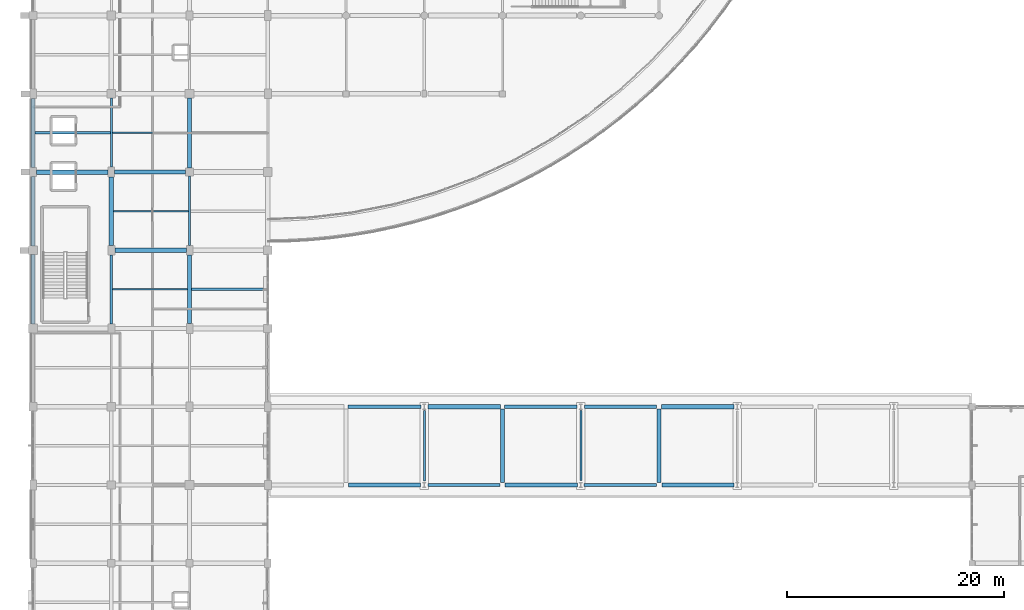
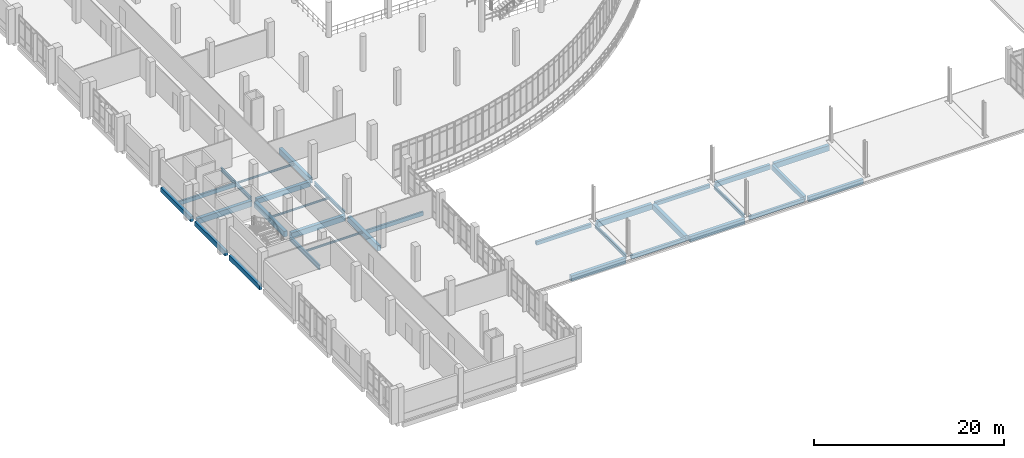
# One storey, part 20 of 134: 31 beams.
"""IFC4 building model written with IfcOpenShell, lengths in metres."""

import ifcopenshell
import ifcopenshell.guid

model = None  # the IFC model being written
_history = None  # IfcOwnerHistory: only IFC2X3 demands one
_inside = {}  # id of a spatial element -> (the spatial element, [elements in it])
_under = {}  # id of a project, library or spatial element -> (it, [spatial elements below it])
_declared = {}  # id of a project -> (the project, [libraries it declares])
_typed = {}  # id of a type object -> (the type object, [elements of that type])
_made_of = {}  # id of a material, layer set ... -> (it, [elements and type objects made of it])


def new_model(schema):
    """Start an empty IFC model of exactly this schema.

    Asked for "IFC4X3", IfcOpenShell would pick the latest addendum, in which some entities
    have other attributes; the version numbers below select the first issue.
    IFC2X3 requires an IfcOwnerHistory on every rooted entity: one is made here for all.
    """
    global model, _history
    if schema == "IFC4X3":
        model = ifcopenshell.file(schema_version=(4, 3, 0, 0))
    else:
        model = ifcopenshell.file(schema=schema)
    _inside.clear()
    _under.clear()
    _declared.clear()
    _typed.clear()
    _made_of.clear()
    _history = None
    if model.schema == "IFC2X3":
        org = make("IfcOrganization", Name="unknown")
        user = make(
            "IfcPersonAndOrganization",
            ThePerson=make("IfcPerson", FamilyName="unknown"),
            TheOrganization=org,
        )
        app = make(
            "IfcApplication",
            ApplicationDeveloper=org,
            Version="unknown",
            ApplicationFullName="unknown",
            ApplicationIdentifier="unknown",
        )
        _history = make(
            "IfcOwnerHistory",
            OwningUser=user,
            OwningApplication=app,
            ChangeAction="ADDED",
            CreationDate=0,
        )
    return model


def make(cls, **values):
    """One entity of the class cls with the attributes given. An attribute that is None is left unset."""
    return model.create_entity(
        cls, **{name: value for name, value in values.items() if value is not None}
    )


def rooted(cls, **values):
    """An entity with a GlobalId (a new one), such as an element, a storey or a relation."""
    return make(cls, GlobalId=ifcopenshell.guid.new(), OwnerHistory=_history, **values)


def si_unit(unit_type, name, prefix=None):
    """IfcSIUnit, for example si_unit("LENGTHUNIT", "METRE", prefix="MILLI")."""
    return make("IfcSIUnit", UnitType=unit_type, Prefix=prefix, Name=name)


def assignment(units):
    """IfcUnitAssignment: the units of a project."""
    return None if units is None else make("IfcUnitAssignment", Units=units)


def point(xyz):
    """IfcCartesianPoint."""
    return None if xyz is None else make("IfcCartesianPoint", Coordinates=xyz)


def direction(xyz):
    """IfcDirection."""
    return None if xyz is None else make("IfcDirection", DirectionRatios=xyz)


def frame(location, z_axis=None, x_axis=None):
    """IfcAxis2Placement3D, a coordinate frame: its origin and axes. An axis left out is left unset."""
    return make(
        "IfcAxis2Placement3D",
        Location=point(location),
        Axis=direction(z_axis),
        RefDirection=direction(x_axis),
    )


def frame_2d(location, x_axis=None):
    """IfcAxis2Placement2D, a coordinate frame in the plane: its origin and x axis."""
    return make(
        "IfcAxis2Placement2D", Location=point(location), RefDirection=direction(x_axis)
    )


def origin():
    """The frame at (0, 0, 0) with its axes left unset."""
    return frame((0.0, 0.0, 0.0))


def origin_2d():
    """The frame at (0, 0) in the plane with its x axis left unset."""
    return frame_2d((0.0, 0.0))


def place(relative_to, where):
    """IfcLocalPlacement: puts the frame where relative to a parent placement (None: the world)."""
    return make(
        "IfcLocalPlacement", PlacementRelTo=relative_to, RelativePlacement=where
    )


def context(
    kind, dimensions, precision=None, world=None, true_north=None, identifier=None
):
    """IfcGeometricRepresentationContext, for example the 3D "Model" context."""
    return make(
        "IfcGeometricRepresentationContext",
        ContextIdentifier=identifier,
        ContextType=kind,
        CoordinateSpaceDimension=dimensions,
        Precision=precision,
        WorldCoordinateSystem=world,
        TrueNorth=true_north,
    )


def subcontext(parent, identifier, kind, view, scale=None):
    """IfcGeometricRepresentationSubContext, for example "Body" below "Model"."""
    return make(
        "IfcGeometricRepresentationSubContext",
        ContextIdentifier=identifier,
        ContextType=kind,
        ParentContext=parent,
        TargetScale=scale,
        TargetView=view,
    )


def project(units=None, contexts=None):
    """IfcProject with its units and contexts."""
    return rooted(
        "IfcProject",
        Name="project",
        RepresentationContexts=contexts,
        UnitsInContext=assignment(units),
    )


def spatial(cls, under=None, at=None, **own):
    """A site, building, storey or space (cls), placed at a placement, below another one or the project."""
    s = rooted(cls, ObjectPlacement=at, **own)
    if under is not None:
        _under.setdefault(under.id(), (under, []))[1].append(s)
    return s


def profile(cls, at=None, kind="AREA", **sizes):
    """A parametric profile (cls). Its sizes go by their IFC names, for example OverallWidth=200.0."""
    return make(cls, ProfileType=kind, Position=at, **sizes)


def rectangle(**sizes):
    """IfcRectangleProfileDef."""
    return profile("IfcRectangleProfileDef", **sizes)


def i_section(**sizes):
    """IfcIShapeProfileDef."""
    return profile("IfcIShapeProfileDef", **sizes)


def extrude(swept, where, along, depth):
    """IfcExtrudedAreaSolid: the profile swept, set in the frame where, extruded along a direction by depth."""
    return make(
        "IfcExtrudedAreaSolid",
        SweptArea=swept,
        Position=where,
        ExtrudedDirection=direction(along),
        Depth=depth,
    )


def shape(context_of_items, identifier, shape_type, items):
    """IfcShapeRepresentation: the items that make up one representation, for example the "Body"."""
    return make(
        "IfcShapeRepresentation",
        ContextOfItems=context_of_items,
        RepresentationIdentifier=identifier,
        RepresentationType=shape_type,
        Items=items,
    )


def material(Name=None, Category=None):
    """IfcMaterial."""
    return make("IfcMaterial", Name=Name, Category=Category)


def material_profile(
    of_material, cross_section, Name=None, Category=None, Priority=None
):
    """IfcMaterialProfile: a cross section and its material."""
    return make(
        "IfcMaterialProfile",
        Name=Name,
        Material=of_material,
        Profile=cross_section,
        Priority=Priority,
        Category=Category,
    )


def profile_set(profiles, Name=None, composite=None):
    """IfcMaterialProfileSet."""
    return make(
        "IfcMaterialProfileSet",
        Name=Name,
        MaterialProfiles=profiles,
        CompositeProfile=composite,
    )


def made_of(thing, what):
    """Note that an element or type object is made of a material, layer set ...; save() writes the relation."""
    if what is not None:
        _made_of.setdefault(what.id(), (what, []))[1].append(thing)
    return thing


def type_object(cls, material=None, **own):
    """A type object (cls), such as IfcWallType, which elements share."""
    return made_of(rooted(cls, **own), material)


def element(
    cls,
    number,
    at=None,
    inside=None,
    cuts=None,
    type_object=None,
    material=None,
    context=None,
    identifier="Body",
    shape_type=None,
    held_by="IfcProductDefinitionShape",
    body=None,
    shapes=None,
    **own,
):
    """One element of the class cls, such as IfcWall. Its Tag is "e" and its number.

    at: its placement. inside: the storey or other place that contains it. cuts: it is an
    opening in that element (IfcRelVoidsElement). A single representation is given by context,
    identifier, shape_type and body (its items); several are given by shapes. held_by: the class
    of the entity that holds the representations. save() writes the other relations.
    """
    e = rooted(cls, Tag="e%d" % number, ObjectPlacement=at, **own)
    if body is not None:
        shapes = [shape(context, identifier, shape_type, body)]
    if shapes is not None:
        e.Representation = make(held_by, Representations=shapes)
    if inside is not None:
        _inside.setdefault(inside.id(), (inside, []))[1].append(e)
    if cuts is not None:
        rooted(
            "IfcRelVoidsElement", RelatingBuildingElement=cuts, RelatedOpeningElement=e
        )
    if type_object is not None:
        _typed.setdefault(type_object.id(), (type_object, []))[1].append(e)
    return made_of(e, material)


def aggregate(whole, parts):
    """IfcRelAggregates: a whole, such as a stair, and the parts it consists of."""
    return rooted("IfcRelAggregates", RelatingObject=whole, RelatedObjects=parts)


def save(model, path):
    """Write the relations noted so far, then the file.

    IfcRelAggregates (storeys below a building ...), IfcRelContainedInSpatialStructure (elements
    in a storey), IfcRelDefinesByType, IfcRelAssociatesMaterial and IfcRelDeclares: one each for
    every whole, place, type object, material and project.
    """
    for whole, parts in _under.values():
        aggregate(whole, parts)
    for where, things in _inside.values():
        rooted(
            "IfcRelContainedInSpatialStructure",
            RelatedElements=things,
            RelatingStructure=where,
        )
    for kind, things in _typed.values():
        rooted("IfcRelDefinesByType", RelatedObjects=things, RelatingType=kind)
    for what, things in _made_of.values():
        rooted("IfcRelAssociatesMaterial", RelatedObjects=things, RelatingMaterial=what)
    for by, libraries in _declared.values():
        rooted("IfcRelDeclares", RelatingContext=by, RelatedDefinitions=libraries)
    model.write(path)


model = new_model("IFC4")

# Units and contexts
model_context = context("Model", 3, precision=1e-05, world=origin(), true_north=direction((0.0, 1.0)))
body_context = subcontext(model_context, "Body", "Model", "MODEL_VIEW")
ifc_project = project(units=[si_unit("LENGTHUNIT", "METRE"), si_unit("AREAUNIT", "SQUARE_METRE"), si_unit("VOLUMEUNIT", "CUBIC_METRE"), si_unit("PLANEANGLEUNIT", "RADIAN"), si_unit("MASSUNIT", "GRAM", prefix="KILO")], contexts=[model_context])

# Site, building, storey
site_placement = place(None, origin())
site = spatial("IfcSite", under=ifc_project, at=site_placement, CompositionType="ELEMENT")
building_placement = place(site_placement, origin())
building = spatial("IfcBuilding", under=site, at=building_placement, Name="Kalluvel Institute of Natural Sciences", CompositionType="ELEMENT")
storey_placement = place(building_placement, frame((0.0, 0.0, 5.39990234375)))
storey = spatial("IfcBuildingStorey", under=building, at=storey_placement, Name="L01", CompositionType="ELEMENT", Elevation=5.39990234375)

# Beams
ifc_material_1 = material(Name="Steel E350 Grade 350", Category="steel")
ifc_material_profile_1 = material_profile(ifc_material_1, i_section(OverallWidth=0.179931640625, OverallDepth=0.5, WebThickness=0.01025390625, FlangeThickness=0.01708984375, FilletRadius=0.01708984375, at=origin_2d()), Name="ISMB 500")
ifc_profile_set_1 = profile_set([ifc_material_profile_1], Name="Steel E350 Grade 350")
beam_type_1 = type_object("IfcBeamType", Name="BM-ISMB500", PredefinedType="BEAM", material=ifc_profile_set_1)
for number, where, z_axis, x_axis, name in (
    (1, (21.199951171875, 57.64990234375, -0.5498046875), (0.0, 1.0, 0.0), (-1.0, 0.0, 0.0), "L01 girder GIR-L01-NS-X212-Y572"),
    (2, (28.39990234375, 50.449951171875, -0.5498046875), (0.0, 1.0, 0.0), (-1.0, 0.0, 0.0), "L01 girder GIR-L01-NS-X284-Y500"),
):
    element("IfcBeam", number, at=place(storey_placement, frame(where, z_axis=z_axis, x_axis=x_axis)), inside=storey, type_object=beam_type_1, Name=name, PredefinedType="BEAM", context=body_context, shape_type="SweptSolid", body=[
        extrude(i_section(OverallWidth=0.179931640625, OverallDepth=0.5, WebThickness=0.01025390625, FlangeThickness=0.01708984375, FilletRadius=0.01708984375, at=origin_2d()), origin(), (0.0, 0.0, 1.0), 6.375),
    ])
beam_1_placement = place(storey_placement, frame((50.0, 28.75, -0.489990234375), z_axis=(0.0, 1.0, 0.0), x_axis=(-1.0, 0.0, 0.0)))
element("IfcBeam", 3, at=beam_1_placement, inside=storey, type_object=beam_type_1, Name="L01 girder GIR-L01-NS-X500-Y284", PredefinedType="BEAM", context=body_context, shape_type="SweptSolid", body=[
    extrude(i_section(OverallWidth=0.179931640625, OverallDepth=0.5, WebThickness=0.01025390625, FlangeThickness=0.01708984375, FilletRadius=0.01708984375, at=origin_2d()), origin(), (0.0, 0.0, 1.0), 6.52490234375),
])
beam_2_placement = place(storey_placement, frame((64.39990234375, 28.800048828125, -0.489990234375), z_axis=(0.0, 1.0, 0.0), x_axis=(-1.0, 0.0, 0.0)))
element("IfcBeam", 4, at=beam_2_placement, inside=storey, type_object=beam_type_1, Name="L01 girder GIR-L01-NS-X644-Y284", PredefinedType="BEAM", context=body_context, shape_type="SweptSolid", body=[
    extrude(i_section(OverallWidth=0.179931640625, OverallDepth=0.5, WebThickness=0.01025390625, FlangeThickness=0.01708984375, FilletRadius=0.01708984375, at=origin_2d()), origin(), (0.0, 0.0, 1.0), 6.449951171875),
])
ifc_material_profile_2 = material_profile(ifc_material_1, i_section(OverallWidth=0.2099609375, OverallDepth=0.60009765625, WebThickness=0.011962890625, FlangeThickness=0.020751953125, FilletRadius=0.02001953125, at=origin_2d()), Name="ISMB 600")
ifc_profile_set_2 = profile_set([ifc_material_profile_2], Name="Steel E350 Grade 350")
beam_type_2 = type_object("IfcBeamType", Name="BM-ISMB600", PredefinedType="BEAM", material=ifc_profile_set_2)
beam_3_placement = place(storey_placement, frame((21.199951171875, 43.22509765625, -0.599853515625), z_axis=(0.0, 1.0, 0.0), x_axis=(-1.0, 0.0, 0.0)))
element("IfcBeam", 5, at=beam_3_placement, inside=storey, type_object=beam_type_2, Name="L01 girder GIR-L01-NS-X212-Y428", PredefinedType="BEAM", context=body_context, shape_type="SweptSolid", body=[
    extrude(i_section(OverallWidth=0.2099609375, OverallDepth=0.60009765625, WebThickness=0.011962890625, FlangeThickness=0.020751953125, FilletRadius=0.02001953125, at=origin_2d()), origin(), (0.0, 0.0, 1.0), 6.349853515625),
])
ifc_material_2 = material(Name="Concrete M40", Category="concrete")
ifc_material_profile_3 = material_profile(ifc_material_2, rectangle(XDim=0.35009765625, YDim=0.60009765625, at=origin_2d()), Name="RCB 350x600")
ifc_profile_set_3 = profile_set([ifc_material_profile_3], Name="Concrete M40")
beam_type_3 = type_object("IfcBeamType", Name="BM-RC350x600", PredefinedType="BEAM", material=ifc_profile_set_3)
beam_4_placement = place(storey_placement, frame((71.60009765625, 28.64990234375, -0.539794921875), z_axis=(0.0, 1.0, 0.0), x_axis=(-1.0, 0.0, 0.0)))
element("IfcBeam", 6, at=beam_4_placement, inside=storey, type_object=beam_type_3, Name="L01 girder GIR-L01-NS-X716-Y284", PredefinedType="BEAM", context=body_context, shape_type="SweptSolid", body=[
    extrude(rectangle(XDim=0.35009765625, YDim=0.60009765625, at=origin_2d()), origin(), (0.0, 0.0, 1.0), 6.72509765625),
])
ifc_material_profile_4 = material_profile(ifc_material_2, rectangle(XDim=0.39990234375, YDim=0.64990234375, at=origin_2d()), Name="RCB 400x650")
ifc_profile_set_4 = profile_set([ifc_material_profile_4], Name="Concrete M40")
beam_type_4 = type_object("IfcBeamType", Name="BM-RC400x650", PredefinedType="BEAM", material=ifc_profile_set_4)
beam_5_placement = place(storey_placement, frame((21.5, 57.199951171875, -0.625), z_axis=(1.0, 0.0, 0.0), x_axis=(0.0, 1.0, 0.0)))
element("IfcBeam", 7, at=beam_5_placement, inside=storey, type_object=beam_type_4, Name="L01 girder GIR-L01-EW-X212-Y572", PredefinedType="BEAM", context=body_context, shape_type="SweptSolid", body=[
    extrude(rectangle(XDim=0.39990234375, YDim=0.64990234375, at=origin_2d()), origin(), (0.0, 0.0, 1.0), 6.52490234375),
])
ifc_material_profile_5 = material_profile(ifc_material_2, rectangle(XDim=0.39990234375, YDim=0.699951171875, at=origin_2d()), Name="RCB 400x700")
ifc_profile_set_5 = profile_set([ifc_material_profile_5], Name="Concrete M40")
beam_type_5 = type_object("IfcBeamType", Name="BM-RC400x700", PredefinedType="BEAM", material=ifc_profile_set_5)
beam_6_placement = place(storey_placement, frame((21.199951171875, 50.425048828125, -0.64990234375), z_axis=(0.0, 1.0, 0.0), x_axis=(-1.0, 0.0, 0.0)))
element("IfcBeam", 8, at=beam_6_placement, inside=storey, type_object=beam_type_5, Name="L01 girder GIR-L01-NS-X212-Y500", PredefinedType="BEAM", context=body_context, shape_type="SweptSolid", body=[
    extrude(rectangle(XDim=0.39990234375, YDim=0.699951171875, at=origin_2d()), origin(), (0.0, 0.0, 1.0), 6.324951171875),
])
beam_7_placement = place(storey_placement, frame((28.39990234375, 43.25, -0.64990234375), z_axis=(0.0, 1.0, 0.0), x_axis=(-1.0, 0.0, 0.0)))
element("IfcBeam", 9, at=beam_7_placement, inside=storey, type_object=beam_type_5, Name="L01 girder GIR-L01-NS-X284-Y428", PredefinedType="BEAM", context=body_context, shape_type="SweptSolid", body=[
    extrude(rectangle(XDim=0.39990234375, YDim=0.699951171875, at=origin_2d()), origin(), (0.0, 0.0, 1.0), 6.300048828125),
])
beam_8_placement = place(storey_placement, frame((28.39990234375, 57.574951171875, -0.64990234375), z_axis=(0.0, 1.0, 0.0), x_axis=(-1.0, 0.0, 0.0)))
element("IfcBeam", 10, at=beam_8_placement, inside=storey, type_object=beam_type_5, Name="L01 girder GIR-L01-NS-X284-Y572", PredefinedType="BEAM", context=body_context, shape_type="SweptSolid", body=[
    extrude(rectangle(XDim=0.39990234375, YDim=0.699951171875, at=origin_2d()), origin(), (0.0, 0.0, 1.0), 6.425048828125),
])
beam_9_placement = place(storey_placement, frame((57.199951171875, 28.625, -0.58984375), z_axis=(0.0, 1.0, 0.0), x_axis=(-1.0, 0.0, 0.0)))
element("IfcBeam", 11, at=beam_9_placement, inside=storey, type_object=beam_type_5, Name="L01 girder GIR-L01-NS-X572-Y284", PredefinedType="BEAM", context=body_context, shape_type="SweptSolid", body=[
    extrude(rectangle(XDim=0.39990234375, YDim=0.699951171875, at=origin_2d()), origin(), (0.0, 0.0, 1.0), 6.77490234375),
])
ifc_material_profile_6 = material_profile(ifc_material_2, rectangle(XDim=0.419921875, YDim=0.719970703125, at=origin_2d()), Name="RCB 420x720")
ifc_profile_set_6 = profile_set([ifc_material_profile_6], Name="Concrete M40")
beam_type_6 = type_object("IfcBeamType", Name="BM-RC420x720", PredefinedType="BEAM", material=ifc_profile_set_6)
beam_10_placement = place(storey_placement, frame((21.52490234375, 50.0, -0.659912109375), z_axis=(1.0, 0.0, 0.0), x_axis=(0.0, 1.0, 0.0)))
element("IfcBeam", 12, at=beam_10_placement, inside=storey, type_object=beam_type_6, Name="L01 girder GIR-L01-EW-X212-Y500", PredefinedType="BEAM", context=body_context, shape_type="SweptSolid", body=[
    extrude(rectangle(XDim=0.419921875, YDim=0.719970703125, at=origin_2d()), origin(), (0.0, 0.0, 1.0), 6.5751953125),
])
beam_11_placement = place(storey_placement, frame((14.324951171875, 57.199951171875, -0.659912109375), z_axis=(1.0, 0.0, 0.0), x_axis=(0.0, 1.0, 0.0)))
element("IfcBeam", 13, at=beam_11_placement, inside=storey, type_object=beam_type_6, Name="L01 girder GIR-L01-EW-X140-Y572", PredefinedType="BEAM", context=body_context, shape_type="SweptSolid", body=[
    extrude(rectangle(XDim=0.419921875, YDim=0.719970703125, at=origin_2d()), origin(), (0.0, 0.0, 1.0), 6.574951171875),
])
ifc_material_profile_7 = material_profile(ifc_material_2, rectangle(XDim=0.300048828125, YDim=0.449951171875, at=origin_2d()), Name="RCB 300x450")
ifc_profile_set_7 = profile_set([ifc_material_profile_7], Name="Concrete M40")
beam_type_7 = type_object("IfcBeamType", Name="SP-RC300x450", PredefinedType="SPANDREL", material=ifc_profile_set_7)
beam_12_placement = place(storey_placement, frame((50.35009765625, 28.39990234375, -0.46484375), z_axis=(1.0, 0.0, 0.0), x_axis=(0.0, 1.0, 0.0)))
element("IfcBeam", 14, at=beam_12_placement, inside=storey, type_object=beam_type_7, Name="L01 girder GIR-L01-EW-X500-Y284", PredefinedType="SPANDREL", context=body_context, shape_type="SweptSolid", body=[
    extrude(rectangle(XDim=0.300048828125, YDim=0.449951171875, at=origin_2d()), origin(), (0.0, 0.0, 1.0), 6.625),
])
beam_13_placement = place(storey_placement, frame((64.699951171875, 28.39990234375, -0.46484375), z_axis=(1.0, 0.0, 0.0), x_axis=(0.0, 1.0, 0.0)))
element("IfcBeam", 15, at=beam_13_placement, inside=storey, type_object=beam_type_7, Name="L01 girder GIR-L01-EW-X644-Y284", PredefinedType="SPANDREL", context=body_context, shape_type="SweptSolid", body=[
    extrude(rectangle(XDim=0.300048828125, YDim=0.449951171875, at=origin_2d()), origin(), (0.0, 0.0, 1.0), 6.650146484375),
])
beam_14_placement = place(storey_placement, frame((43.0, 35.60009765625, -0.46484375), z_axis=(1.0, 0.0, 0.0), x_axis=(0.0, 1.0, 0.0)))
element("IfcBeam", 16, at=beam_14_placement, inside=storey, type_object=beam_type_7, Name="L01 girder GIR-L01-EW-X428-Y356", PredefinedType="SPANDREL", context=body_context, shape_type="SweptSolid", body=[
    extrude(rectangle(XDim=0.300048828125, YDim=0.449951171875, at=origin_2d()), origin(), (0.0, 0.0, 1.0), 6.675048828125),
])
beam_15_placement = place(storey_placement, frame((57.39990234375, 35.60009765625, -0.46484375), z_axis=(1.0, 0.0, 0.0), x_axis=(0.0, 1.0, 0.0)))
element("IfcBeam", 17, at=beam_15_placement, inside=storey, type_object=beam_type_7, Name="L01 girder GIR-L01-EW-X572-Y356", PredefinedType="SPANDREL", context=body_context, shape_type="SweptSolid", body=[
    extrude(rectangle(XDim=0.300048828125, YDim=0.449951171875, at=origin_2d()), origin(), (0.0, 0.0, 1.0), 6.650146484375),
])
ifc_material_profile_8 = material_profile(ifc_material_2, rectangle(XDim=0.35009765625, YDim=0.60009765625, at=origin_2d()), Name="RCB 350x600")
ifc_profile_set_8 = profile_set([ifc_material_profile_8], Name="Concrete M40")
beam_type_8 = type_object("IfcBeamType", Name="SP-RC350x600", PredefinedType="SPANDREL", material=ifc_profile_set_8)
for number, where, z_axis, x_axis, name in (
    (18, (71.85009765625, 28.39990234375, -0.539794921875), (1.0, 0.0, 0.0), (0.0, 1.0, 0.0), "L01 girder GIR-L01-EW-X716-Y284"),
    (19, (64.75, 35.60009765625, -0.539794921875), (1.0, 0.0, 0.0), (0.0, 1.0, 0.0), "L01 girder GIR-L01-EW-X644-Y356"),
):
    element("IfcBeam", number, at=place(storey_placement, frame(where, z_axis=z_axis, x_axis=x_axis)), inside=storey, type_object=beam_type_8, Name=name, PredefinedType="SPANDREL", context=body_context, shape_type="SweptSolid", body=[
        extrude(rectangle(XDim=0.35009765625, YDim=0.60009765625, at=origin_2d()), origin(), (0.0, 0.0, 1.0), 6.625),
    ])
beam_16_placement = place(storey_placement, frame((14.0, 43.199951171875, -0.599853515625), z_axis=(0.0, 1.0, 0.0), x_axis=(-1.0, 0.0, 0.0)))
element("IfcBeam", 20, at=beam_16_placement, inside=storey, type_object=beam_type_8, Name="L01 girder GIR-L01-NS-X140-Y428", PredefinedType="SPANDREL", context=body_context, shape_type="SweptSolid", body=[
    extrude(rectangle(XDim=0.35009765625, YDim=0.60009765625, at=origin_2d()), origin(), (0.0, 0.0, 1.0), 6.400146484375),
])
beam_17_placement = place(storey_placement, frame((14.0, 50.39990234375, -0.599853515625), z_axis=(0.0, 1.0, 0.0), x_axis=(-1.0, 0.0, 0.0)))
element("IfcBeam", 21, at=beam_17_placement, inside=storey, type_object=beam_type_8, Name="L01 girder GIR-L01-NS-X140-Y500", PredefinedType="SPANDREL", context=body_context, shape_type="SweptSolid", body=[
    extrude(rectangle(XDim=0.35009765625, YDim=0.60009765625, at=origin_2d()), origin(), (0.0, 0.0, 1.0), 6.375),
])
beam_18_placement = place(storey_placement, frame((14.0, 57.625, -0.599853515625), z_axis=(0.0, 1.0, 0.0), x_axis=(-1.0, 0.0, 0.0)))
element("IfcBeam", 22, at=beam_18_placement, inside=storey, type_object=beam_type_8, Name="L01 girder GIR-L01-NS-X140-Y572", PredefinedType="SPANDREL", context=body_context, shape_type="SweptSolid", body=[
    extrude(rectangle(XDim=0.35009765625, YDim=0.60009765625, at=origin_2d()), origin(), (0.0, 0.0, 1.0), 6.324951171875),
])
ifc_material_profile_9 = material_profile(ifc_material_2, rectangle(XDim=0.39990234375, YDim=0.699951171875, at=origin_2d()), Name="RCB 400x700")
ifc_profile_set_9 = profile_set([ifc_material_profile_9], Name="Concrete M40")
beam_type_9 = type_object("IfcBeamType", Name="SP-RC400x700", PredefinedType="SPANDREL", material=ifc_profile_set_9)
beam_19_placement = place(storey_placement, frame((43.02490234375, 28.39990234375, -0.58984375), z_axis=(1.0, 0.0, 0.0), x_axis=(0.0, 1.0, 0.0)))
element("IfcBeam", 23, at=beam_19_placement, inside=storey, type_object=beam_type_9, Name="L01 girder GIR-L01-EW-X428-Y284", PredefinedType="SPANDREL", context=body_context, shape_type="SweptSolid", body=[
    extrude(rectangle(XDim=0.39990234375, YDim=0.699951171875, at=origin_2d()), origin(), (0.0, 0.0, 1.0), 6.625),
])
for number, where, z_axis, x_axis, name in (
    (24, (57.425048828125, 28.39990234375, -0.58984375), (1.0, 0.0, 0.0), (0.0, 1.0, 0.0), "L01 girder GIR-L01-EW-X572-Y284"),
    (25, (50.324951171875, 35.60009765625, -0.58984375), (1.0, 0.0, 0.0), (0.0, 1.0, 0.0), "L01 girder GIR-L01-EW-X500-Y356"),
    (26, (71.824951171875, 35.60009765625, -0.58984375), (1.0, 0.0, 0.0), (0.0, 1.0, 0.0), "L01 girder GIR-L01-EW-X716-Y356"),
):
    element("IfcBeam", number, at=place(storey_placement, frame(where, z_axis=z_axis, x_axis=x_axis)), inside=storey, type_object=beam_type_9, Name=name, PredefinedType="SPANDREL", context=body_context, shape_type="SweptSolid", body=[
        extrude(rectangle(XDim=0.39990234375, YDim=0.699951171875, at=origin_2d()), origin(), (0.0, 0.0, 1.0), 6.675048828125),
    ])
ifc_material_profile_10 = material_profile(ifc_material_2, rectangle(XDim=0.219970703125, YDim=0.5, at=origin_2d()), Name="WAF 220x500")
ifc_profile_set_10 = profile_set([ifc_material_profile_10], Name="Concrete M40")
beam_type_10 = type_object("IfcBeamType", Name="WJ-220x500", PredefinedType="JOIST", material=ifc_profile_set_10)
beam_20_placement = place(storey_placement, frame((28.60009765625, 46.39990234375, -0.5498046875), z_axis=(1.0, 0.0, 0.0), x_axis=(0.0, 1.0, 0.0)))
element("IfcBeam", 27, at=beam_20_placement, inside=storey, type_object=beam_type_10, Name="L01 floor rib RIB-L01-0638", PredefinedType="JOIST", context=body_context, shape_type="SweptSolid", body=[
    extrude(rectangle(XDim=0.219970703125, YDim=0.5, at=origin_2d()), origin(), (0.0, 0.0, 1.0), 6.909912109375),
])
beam_21_placement = place(storey_placement, frame((14.175048828125, 60.800048828125, -0.5498046875), z_axis=(1.0, 0.0, 0.0), x_axis=(0.0, 1.0, 0.0)))
element("IfcBeam", 28, at=beam_21_placement, inside=storey, type_object=beam_type_10, Name="L01 floor rib RIB-L01-0641", PredefinedType="JOIST", context=body_context, shape_type="SweptSolid", body=[
    extrude(rectangle(XDim=0.219970703125, YDim=0.5, at=origin_2d()), origin(), (0.0, 0.0, 1.0), 6.93505859375),
])
ifc_material_profile_11 = material_profile(ifc_material_1, i_section(OverallWidth=0.125, OverallDepth=0.25, WebThickness=0.0068359375, FlangeThickness=0.012451171875, FilletRadius=0.012939453125, at=origin_2d()), Name="ISMB 250")
ifc_profile_set_11 = profile_set([ifc_material_profile_11], Name="Steel E350 Grade 350")
beam_type_11 = type_object("IfcBeamType", Name="WJ-ISMB250", PredefinedType="JOIST", material=ifc_profile_set_11)
beam_22_placement = place(storey_placement, frame((21.304931640625, 46.39990234375, -0.4248046875), z_axis=(1.0, 0.0, 0.0), x_axis=(0.0, 1.0, 0.0)))
element("IfcBeam", 29, at=beam_22_placement, inside=storey, type_object=beam_type_11, Name="L01 floor rib RIB-L01-0637", PredefinedType="JOIST", context=body_context, shape_type="SweptSolid", body=[
    extrude(i_section(OverallWidth=0.125, OverallDepth=0.25, WebThickness=0.0068359375, FlangeThickness=0.012451171875, FilletRadius=0.012939453125, at=origin_2d()), origin(), (0.0, 0.0, 1.0), 6.89501953125),
])
beam_23_placement = place(storey_placement, frame((21.39990234375, 53.60009765625, -0.4248046875), z_axis=(1.0, 0.0, 0.0), x_axis=(0.0, 1.0, 0.0)))
element("IfcBeam", 30, at=beam_23_placement, inside=storey, type_object=beam_type_11, Name="L01 floor rib RIB-L01-0639", PredefinedType="JOIST", context=body_context, shape_type="SweptSolid", body=[
    extrude(i_section(OverallWidth=0.125, OverallDepth=0.25, WebThickness=0.0068359375, FlangeThickness=0.012451171875, FilletRadius=0.012939453125, at=origin_2d()), origin(), (0.0, 0.0, 1.0), 6.91015625),
])
beam_24_placement = place(storey_placement, frame((21.2900390625, 60.800048828125, -0.4248046875), z_axis=(1.0, 0.0, 0.0), x_axis=(0.0, 1.0, 0.0)))
element("IfcBeam", 31, at=beam_24_placement, inside=storey, type_object=beam_type_11, Name="L01 floor rib RIB-L01-0642", PredefinedType="JOIST", context=body_context, shape_type="SweptSolid", body=[
    extrude(i_section(OverallWidth=0.125, OverallDepth=0.25, WebThickness=0.0068359375, FlangeThickness=0.012451171875, FilletRadius=0.012939453125, at=origin_2d()), origin(), (0.0, 0.0, 1.0), 6.909912109375),
])

save(model, "model.ifc")
